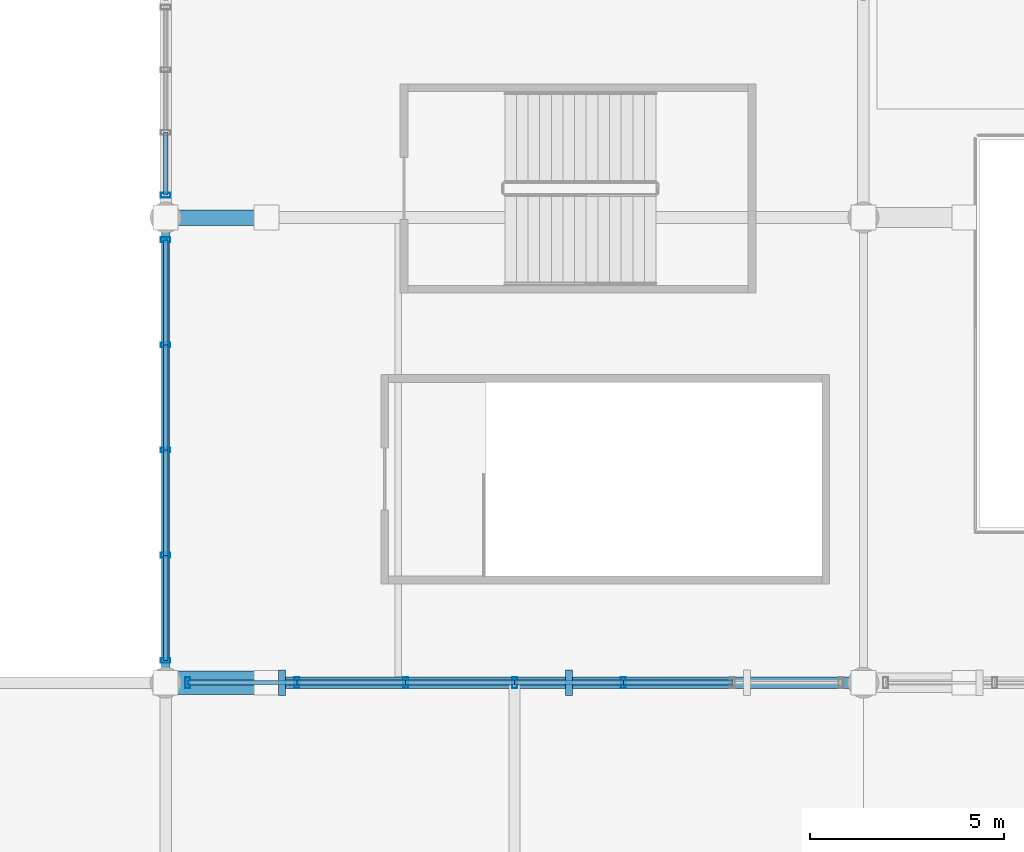
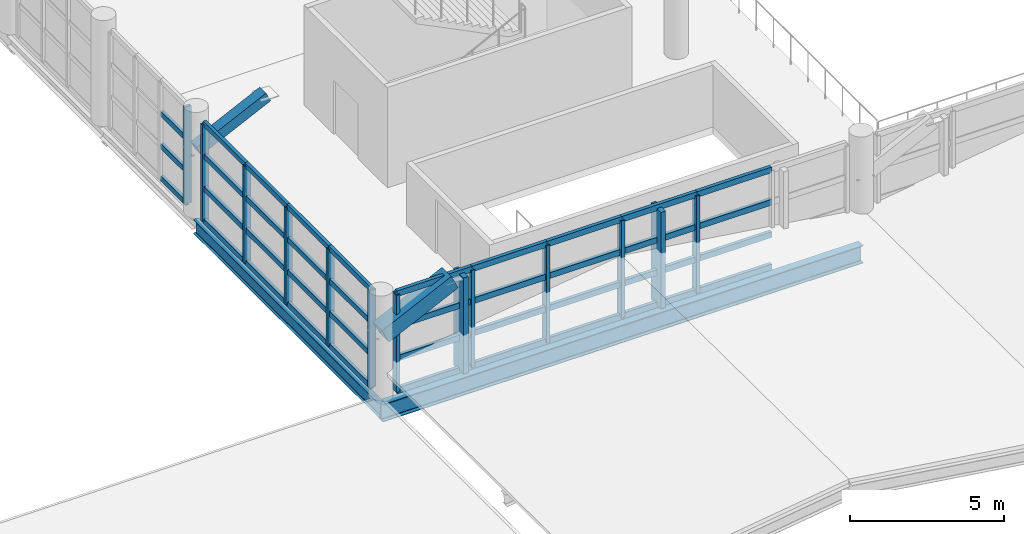
# One storey, part 8 of 136: 54 members, 2 beams, 3 elements without a shape of their own.
"""IFC4 building model written with IfcOpenShell, lengths in metres."""

import ifcopenshell
import ifcopenshell.guid

model = None  # the IFC model being written
_history = None  # IfcOwnerHistory: only IFC2X3 demands one
_inside = {}  # id of a spatial element -> (the spatial element, [elements in it])
_under = {}  # id of a project, library or spatial element -> (it, [spatial elements below it])
_declared = {}  # id of a project -> (the project, [libraries it declares])
_typed = {}  # id of a type object -> (the type object, [elements of that type])
_made_of = {}  # id of a material, layer set ... -> (it, [elements and type objects made of it])


def new_model(schema):
    """Start an empty IFC model of exactly this schema.

    Asked for "IFC4X3", IfcOpenShell would pick the latest addendum, in which some entities
    have other attributes; the version numbers below select the first issue.
    IFC2X3 requires an IfcOwnerHistory on every rooted entity: one is made here for all.
    """
    global model, _history
    if schema == "IFC4X3":
        model = ifcopenshell.file(schema_version=(4, 3, 0, 0))
    else:
        model = ifcopenshell.file(schema=schema)
    _inside.clear()
    _under.clear()
    _declared.clear()
    _typed.clear()
    _made_of.clear()
    _history = None
    if model.schema == "IFC2X3":
        org = make("IfcOrganization", Name="unknown")
        user = make(
            "IfcPersonAndOrganization",
            ThePerson=make("IfcPerson", FamilyName="unknown"),
            TheOrganization=org,
        )
        app = make(
            "IfcApplication",
            ApplicationDeveloper=org,
            Version="unknown",
            ApplicationFullName="unknown",
            ApplicationIdentifier="unknown",
        )
        _history = make(
            "IfcOwnerHistory",
            OwningUser=user,
            OwningApplication=app,
            ChangeAction="ADDED",
            CreationDate=0,
        )
    return model


def make(cls, **values):
    """One entity of the class cls with the attributes given. An attribute that is None is left unset."""
    return model.create_entity(
        cls, **{name: value for name, value in values.items() if value is not None}
    )


def rooted(cls, **values):
    """An entity with a GlobalId (a new one), such as an element, a storey or a relation."""
    return make(cls, GlobalId=ifcopenshell.guid.new(), OwnerHistory=_history, **values)


def si_unit(unit_type, name, prefix=None):
    """IfcSIUnit, for example si_unit("LENGTHUNIT", "METRE", prefix="MILLI")."""
    return make("IfcSIUnit", UnitType=unit_type, Prefix=prefix, Name=name)


def assignment(units):
    """IfcUnitAssignment: the units of a project."""
    return None if units is None else make("IfcUnitAssignment", Units=units)


def point(xyz):
    """IfcCartesianPoint."""
    return None if xyz is None else make("IfcCartesianPoint", Coordinates=xyz)


def direction(xyz):
    """IfcDirection."""
    return None if xyz is None else make("IfcDirection", DirectionRatios=xyz)


def frame(location, z_axis=None, x_axis=None):
    """IfcAxis2Placement3D, a coordinate frame: its origin and axes. An axis left out is left unset."""
    return make(
        "IfcAxis2Placement3D",
        Location=point(location),
        Axis=direction(z_axis),
        RefDirection=direction(x_axis),
    )


def frame_2d(location, x_axis=None):
    """IfcAxis2Placement2D, a coordinate frame in the plane: its origin and x axis."""
    return make(
        "IfcAxis2Placement2D", Location=point(location), RefDirection=direction(x_axis)
    )


def origin():
    """The frame at (0, 0, 0) with its axes left unset."""
    return frame((0.0, 0.0, 0.0))


def origin_2d():
    """The frame at (0, 0) in the plane with its x axis left unset."""
    return frame_2d((0.0, 0.0))


def place(relative_to, where):
    """IfcLocalPlacement: puts the frame where relative to a parent placement (None: the world)."""
    return make(
        "IfcLocalPlacement", PlacementRelTo=relative_to, RelativePlacement=where
    )


def context(
    kind, dimensions, precision=None, world=None, true_north=None, identifier=None
):
    """IfcGeometricRepresentationContext, for example the 3D "Model" context."""
    return make(
        "IfcGeometricRepresentationContext",
        ContextIdentifier=identifier,
        ContextType=kind,
        CoordinateSpaceDimension=dimensions,
        Precision=precision,
        WorldCoordinateSystem=world,
        TrueNorth=true_north,
    )


def subcontext(parent, identifier, kind, view, scale=None):
    """IfcGeometricRepresentationSubContext, for example "Body" below "Model"."""
    return make(
        "IfcGeometricRepresentationSubContext",
        ContextIdentifier=identifier,
        ContextType=kind,
        ParentContext=parent,
        TargetScale=scale,
        TargetView=view,
    )


def project(units=None, contexts=None):
    """IfcProject with its units and contexts."""
    return rooted(
        "IfcProject",
        Name="project",
        RepresentationContexts=contexts,
        UnitsInContext=assignment(units),
    )


def spatial(cls, under=None, at=None, **own):
    """A site, building, storey or space (cls), placed at a placement, below another one or the project."""
    s = rooted(cls, ObjectPlacement=at, **own)
    if under is not None:
        _under.setdefault(under.id(), (under, []))[1].append(s)
    return s


def profile(cls, at=None, kind="AREA", **sizes):
    """A parametric profile (cls). Its sizes go by their IFC names, for example OverallWidth=200.0."""
    return make(cls, ProfileType=kind, Position=at, **sizes)


def rectangle(**sizes):
    """IfcRectangleProfileDef."""
    return profile("IfcRectangleProfileDef", **sizes)


def hollow_rectangle(**sizes):
    """IfcRectangleHollowProfileDef."""
    return profile("IfcRectangleHollowProfileDef", **sizes)


def i_section(**sizes):
    """IfcIShapeProfileDef."""
    return profile("IfcIShapeProfileDef", **sizes)


def extrude(swept, where, along, depth):
    """IfcExtrudedAreaSolid: the profile swept, set in the frame where, extruded along a direction by depth."""
    return make(
        "IfcExtrudedAreaSolid",
        SweptArea=swept,
        Position=where,
        ExtrudedDirection=direction(along),
        Depth=depth,
    )


def shape(context_of_items, identifier, shape_type, items):
    """IfcShapeRepresentation: the items that make up one representation, for example the "Body"."""
    return make(
        "IfcShapeRepresentation",
        ContextOfItems=context_of_items,
        RepresentationIdentifier=identifier,
        RepresentationType=shape_type,
        Items=items,
    )


def material(Name=None, Category=None):
    """IfcMaterial."""
    return make("IfcMaterial", Name=Name, Category=Category)


def material_profile(
    of_material, cross_section, Name=None, Category=None, Priority=None
):
    """IfcMaterialProfile: a cross section and its material."""
    return make(
        "IfcMaterialProfile",
        Name=Name,
        Material=of_material,
        Profile=cross_section,
        Priority=Priority,
        Category=Category,
    )


def profile_set(profiles, Name=None, composite=None):
    """IfcMaterialProfileSet."""
    return make(
        "IfcMaterialProfileSet",
        Name=Name,
        MaterialProfiles=profiles,
        CompositeProfile=composite,
    )


def made_of(thing, what):
    """Note that an element or type object is made of a material, layer set ...; save() writes the relation."""
    if what is not None:
        _made_of.setdefault(what.id(), (what, []))[1].append(thing)
    return thing


def type_object(cls, material=None, **own):
    """A type object (cls), such as IfcWallType, which elements share."""
    return made_of(rooted(cls, **own), material)


def element(
    cls,
    number,
    at=None,
    inside=None,
    cuts=None,
    type_object=None,
    material=None,
    context=None,
    identifier="Body",
    shape_type=None,
    held_by="IfcProductDefinitionShape",
    body=None,
    shapes=None,
    **own,
):
    """One element of the class cls, such as IfcWall. Its Tag is "e" and its number.

    at: its placement. inside: the storey or other place that contains it. cuts: it is an
    opening in that element (IfcRelVoidsElement). A single representation is given by context,
    identifier, shape_type and body (its items); several are given by shapes. held_by: the class
    of the entity that holds the representations. save() writes the other relations.
    """
    e = rooted(cls, Tag="e%d" % number, ObjectPlacement=at, **own)
    if body is not None:
        shapes = [shape(context, identifier, shape_type, body)]
    if shapes is not None:
        e.Representation = make(held_by, Representations=shapes)
    if inside is not None:
        _inside.setdefault(inside.id(), (inside, []))[1].append(e)
    if cuts is not None:
        rooted(
            "IfcRelVoidsElement", RelatingBuildingElement=cuts, RelatedOpeningElement=e
        )
    if type_object is not None:
        _typed.setdefault(type_object.id(), (type_object, []))[1].append(e)
    return made_of(e, material)


def aggregate(whole, parts):
    """IfcRelAggregates: a whole, such as a stair, and the parts it consists of."""
    return rooted("IfcRelAggregates", RelatingObject=whole, RelatedObjects=parts)


def save(model, path):
    """Write the relations noted so far, then the file.

    IfcRelAggregates (storeys below a building ...), IfcRelContainedInSpatialStructure (elements
    in a storey), IfcRelDefinesByType, IfcRelAssociatesMaterial and IfcRelDeclares: one each for
    every whole, place, type object, material and project.
    """
    for whole, parts in _under.values():
        aggregate(whole, parts)
    for where, things in _inside.values():
        rooted(
            "IfcRelContainedInSpatialStructure",
            RelatedElements=things,
            RelatingStructure=where,
        )
    for kind, things in _typed.values():
        rooted("IfcRelDefinesByType", RelatedObjects=things, RelatingType=kind)
    for what, things in _made_of.values():
        rooted("IfcRelAssociatesMaterial", RelatedObjects=things, RelatingMaterial=what)
    for by, libraries in _declared.values():
        rooted("IfcRelDeclares", RelatingContext=by, RelatedDefinitions=libraries)
    model.write(path)


model = new_model("IFC4")

# Units and contexts
model_context = context("Model", 3, precision=1e-05, world=origin(), true_north=direction((0.0, 1.0)))
body_context = subcontext(model_context, "Body", "Model", "MODEL_VIEW")
ifc_project = project(units=[si_unit("LENGTHUNIT", "METRE"), si_unit("AREAUNIT", "SQUARE_METRE"), si_unit("VOLUMEUNIT", "CUBIC_METRE"), si_unit("PLANEANGLEUNIT", "RADIAN"), si_unit("MASSUNIT", "GRAM", prefix="KILO")], contexts=[model_context])

# Site, building, storey
site_placement = place(None, origin())
site = spatial("IfcSite", under=ifc_project, at=site_placement, CompositionType="ELEMENT")
building_placement = place(site_placement, origin())
building = spatial("IfcBuilding", under=site, at=building_placement, Name="Chuanluo Vaults Station", CompositionType="ELEMENT")
storey_placement = place(building_placement, frame((0.0, 0.0, 6.60009765625)))
storey = spatial("IfcBuildingStorey", under=building, at=storey_placement, Name="L01", CompositionType="ELEMENT", Elevation=6.60009765625)

# Beams
ifc_material_1 = material(Name="Steel Q355C", Category="steel")
ifc_material_profile_1 = material_profile(ifc_material_1, i_section(OverallWidth=0.199951171875, OverallDepth=0.550048828125, WebThickness=0.010009765625, FlangeThickness=0.01611328125, FilletRadius=0.01806640625, at=origin_2d()))
ifc_profile_set_1 = profile_set([ifc_material_profile_1], Name="Steel Q355C")
beam_type_1 = type_object("IfcBeamType", Name="BM-GRD-550", PredefinedType="USERDEFINED", material=ifc_profile_set_1)
beam_1_placement = place(storey_placement, frame((18.0, 18.0, -0.55517578125), z_axis=(0.0, 1.0, 0.0), x_axis=(-1.0, 0.0, 0.0)))
element("IfcBeam", 1, at=beam_1_placement, inside=storey, type_object=beam_type_1, Name="Floor girder BM:GY:L01:0412", ObjectType="GIRDER", PredefinedType="USERDEFINED", context=body_context, shape_type="SweptSolid", body=[
    extrude(i_section(OverallWidth=0.199951171875, OverallDepth=0.550048828125, WebThickness=0.010009765625, FlangeThickness=0.01611328125, FilletRadius=0.01806640625, at=origin_2d()), origin(), (0.0, 0.0, 1.0), 12.0),
])
ifc_material_2 = material(Name="Steel Q355C", Category="steel")
ifc_material_profile_2 = material_profile(ifc_material_2, i_section(OverallWidth=0.300048828125, OverallDepth=0.699951171875, WebThickness=0.012939453125, FlangeThickness=0.02392578125, FilletRadius=0.02197265625, at=origin_2d()))
ifc_profile_set_2 = profile_set([ifc_material_profile_2], Name="Steel Q355C")
beam_type_2 = type_object("IfcBeamType", Name="BM-GRD-700", PredefinedType="USERDEFINED", material=ifc_profile_set_2)
beam_2_placement = place(storey_placement, frame((18.0, 18.0, -0.630126953125), z_axis=(1.0, 0.0, 0.0), x_axis=(0.0, 1.0, 0.0)))
element("IfcBeam", 2, at=beam_2_placement, inside=storey, type_object=beam_type_2, Name="Floor girder BM:GX:L01:0292", ObjectType="GIRDER", PredefinedType="USERDEFINED", context=body_context, shape_type="SweptSolid", body=[
    extrude(i_section(OverallWidth=0.300048828125, OverallDepth=0.699951171875, WebThickness=0.012939453125, FlangeThickness=0.02392578125, FilletRadius=0.02197265625, at=origin_2d()), origin(), (0.0, 0.0, 1.0), 18.0),
])

# Curtain wall, members
ifc_material_3 = material(Name="Anodised aluminium 6063-T6", Category="aluminium")
curtain_wall_type_1 = type_object("IfcCurtainWallType", Name="CW-SYS-27", PredefinedType="NOTDEFINED", material=ifc_material_3)
curtain_wall_1_placement = place(storey_placement, origin())
curtain_wall_1 = element("IfcCurtainWall", 3, at=curtain_wall_1_placement, inside=storey, type_object=curtain_wall_type_1, Name="Concourse west curtain wall 18", PredefinedType="NOTDEFINED")
ifc_material_4 = material(Name="Anodised aluminium 6063-T6", Category="aluminium")
ifc_material_profile_3 = material_profile(ifc_material_4, hollow_rectangle(XDim=0.1201171875, YDim=0.25, WallThickness=0.006103515625, at=origin_2d()))
ifc_profile_set_3 = profile_set([ifc_material_profile_3], Name="Anodised aluminium 6063-T6")
member_type_1 = type_object("IfcMemberType", Name="CWM-160", PredefinedType="MULLION", material=ifc_profile_set_3)
member_1_placement = place(storey_placement, frame((18.0, 18.574951171875, 0.0), z_axis=(0.0, 0.0, 1.0), x_axis=(0.0, 1.0, 0.0)))
member_1 = element("IfcMember", 4, at=member_1_placement, type_object=member_type_1, Name="Concourse west curtain wall 18 mullion 1", PredefinedType="MULLION", context=body_context, shape_type="SweptSolid", body=[
    extrude(hollow_rectangle(XDim=0.1201171875, YDim=0.25, WallThickness=0.006103515625, at=origin_2d()), origin(), (0.0, 0.0, 1.0), 3.849853515625),
])
member_2_placement = place(storey_placement, frame((18.0, 21.28759765625, 0.0), z_axis=(0.0, 0.0, 1.0), x_axis=(0.0, 1.0, 0.0)))
member_2 = element("IfcMember", 5, at=member_2_placement, type_object=member_type_1, Name="Concourse west curtain wall 18 mullion 2", PredefinedType="MULLION", context=body_context, shape_type="SweptSolid", body=[
    extrude(hollow_rectangle(XDim=0.1201171875, YDim=0.25, WallThickness=0.006103515625, at=origin_2d()), origin(), (0.0, 0.0, 1.0), 3.849853515625),
])
member_3_placement = place(storey_placement, frame((18.0, 24.0, 0.0), z_axis=(0.0, 0.0, 1.0), x_axis=(0.0, 1.0, 0.0)))
member_3 = element("IfcMember", 6, at=member_3_placement, type_object=member_type_1, Name="Concourse west curtain wall 18 mullion 3", PredefinedType="MULLION", context=body_context, shape_type="SweptSolid", body=[
    extrude(hollow_rectangle(XDim=0.1201171875, YDim=0.25, WallThickness=0.006103515625, at=origin_2d()), origin(), (0.0, 0.0, 1.0), 3.849853515625),
])
member_4_placement = place(storey_placement, frame((18.0, 26.71240234375, 0.0), z_axis=(0.0, 0.0, 1.0), x_axis=(0.0, 1.0, 0.0)))
member_4 = element("IfcMember", 7, at=member_4_placement, type_object=member_type_1, Name="Concourse west curtain wall 18 mullion 4", PredefinedType="MULLION", context=body_context, shape_type="SweptSolid", body=[
    extrude(hollow_rectangle(XDim=0.1201171875, YDim=0.25, WallThickness=0.006103515625, at=origin_2d()), origin(), (0.0, 0.0, 1.0), 3.849853515625),
])
member_5_placement = place(storey_placement, frame((18.0, 29.425048828125, 0.0), z_axis=(0.0, 0.0, 1.0), x_axis=(0.0, 1.0, 0.0)))
member_5 = element("IfcMember", 8, at=member_5_placement, type_object=member_type_1, Name="Concourse west curtain wall 18 mullion 5", PredefinedType="MULLION", context=body_context, shape_type="SweptSolid", body=[
    extrude(hollow_rectangle(XDim=0.1201171875, YDim=0.25, WallThickness=0.006103515625, at=origin_2d()), origin(), (0.0, 0.0, 1.0), 3.849853515625),
])

# Curtain wall, member
ifc_material_5 = material(Name="Anodised aluminium 6063-T6", Category="aluminium")
curtain_wall_type_2 = type_object("IfcCurtainWallType", Name="CW-SYS-03", PredefinedType="NOTDEFINED", material=ifc_material_5)
curtain_wall_2_placement = place(storey_placement, origin())
curtain_wall_2 = element("IfcCurtainWall", 9, at=curtain_wall_2_placement, inside=storey, type_object=curtain_wall_type_2, Name="Concourse west curtain wall 30 part 1", PredefinedType="NOTDEFINED")
member_6_placement = place(storey_placement, frame((18.0, 30.574951171875, 0.0), z_axis=(0.0, 0.0, 1.0), x_axis=(0.0, 1.0, 0.0)))
member_6 = element("IfcMember", 10, at=member_6_placement, type_object=member_type_1, Name="Concourse west curtain wall 30 part 1 mullion 1", PredefinedType="MULLION", context=body_context, shape_type="SweptSolid", body=[
    extrude(hollow_rectangle(XDim=0.1201171875, YDim=0.25, WallThickness=0.006103515625, at=origin_2d()), origin(), (0.0, 0.0, 1.0), 3.849853515625),
])

# Curtain wall, members
ifc_material_6 = material(Name="Anodised aluminium 6063-T6", Category="aluminium")
curtain_wall_type_3 = type_object("IfcCurtainWallType", Name="CW-SYS-06", PredefinedType="NOTDEFINED", material=ifc_material_6)
curtain_wall_3_placement = place(storey_placement, origin())
curtain_wall_3 = element("IfcCurtainWall", 11, at=curtain_wall_3_placement, inside=storey, type_object=curtain_wall_type_3, Name="Concourse V2 south facade CW", PredefinedType="NOTDEFINED")
ifc_material_7 = material(Name="Anodised aluminium 6063-T6", Category="aluminium")
ifc_material_profile_4 = material_profile(ifc_material_7, hollow_rectangle(XDim=0.1298828125, YDim=0.280029296875, WallThickness=0.007080078125, at=origin_2d()))
ifc_profile_set_4 = profile_set([ifc_material_profile_4], Name="Anodised aluminium 6063-T6")
member_type_2 = type_object("IfcMemberType", Name="CWM-180", PredefinedType="MULLION", material=ifc_profile_set_4)
member_7_placement = place(storey_placement, frame((29.808349609375, 18.0, 0.0), z_axis=(0.0, 0.0, 1.0), x_axis=(-1.0, 0.0, 0.0)))
member_7 = element("IfcMember", 12, at=member_7_placement, type_object=member_type_2, Name="Concourse V2 south facade CW mullion 3", PredefinedType="MULLION", context=body_context, shape_type="SweptSolid", body=[
    extrude(hollow_rectangle(XDim=0.1298828125, YDim=0.280029296875, WallThickness=0.007080078125, at=origin_2d()), origin(), (0.0, 0.0, 1.0), 3.849853515625),
])
member_8_placement = place(storey_placement, frame((27.0, 18.0, 0.0), z_axis=(0.0, 0.0, 1.0), x_axis=(-1.0, 0.0, 0.0)))
member_8 = element("IfcMember", 13, at=member_8_placement, type_object=member_type_2, Name="Concourse V2 south facade CW mullion 4", PredefinedType="MULLION", context=body_context, shape_type="SweptSolid", body=[
    extrude(hollow_rectangle(XDim=0.1298828125, YDim=0.280029296875, WallThickness=0.007080078125, at=origin_2d()), origin(), (0.0, 0.0, 1.0), 3.849853515625),
])
member_9_placement = place(storey_placement, frame((24.191650390625, 18.0, 0.0), z_axis=(0.0, 0.0, 1.0), x_axis=(-1.0, 0.0, 0.0)))
member_9 = element("IfcMember", 14, at=member_9_placement, type_object=member_type_2, Name="Concourse V2 south facade CW mullion 5", PredefinedType="MULLION", context=body_context, shape_type="SweptSolid", body=[
    extrude(hollow_rectangle(XDim=0.1298828125, YDim=0.280029296875, WallThickness=0.007080078125, at=origin_2d()), origin(), (0.0, 0.0, 1.0), 3.849853515625),
])
member_10_placement = place(storey_placement, frame((21.38330078125, 18.0, 0.0), z_axis=(0.0, 0.0, 1.0), x_axis=(-1.0, 0.0, 0.0)))
member_10 = element("IfcMember", 15, at=member_10_placement, type_object=member_type_2, Name="Concourse V2 south facade CW mullion 6", PredefinedType="MULLION", context=body_context, shape_type="SweptSolid", body=[
    extrude(hollow_rectangle(XDim=0.1298828125, YDim=0.280029296875, WallThickness=0.007080078125, at=origin_2d()), origin(), (0.0, 0.0, 1.0), 3.849853515625),
])
member_11_placement = place(storey_placement, frame((18.574951171875, 18.0, 0.0), z_axis=(0.0, 0.0, 1.0), x_axis=(-1.0, 0.0, 0.0)))
member_11 = element("IfcMember", 16, at=member_11_placement, type_object=member_type_2, Name="Concourse V2 south facade CW mullion 7", PredefinedType="MULLION", context=body_context, shape_type="SweptSolid", body=[
    extrude(hollow_rectangle(XDim=0.1298828125, YDim=0.280029296875, WallThickness=0.007080078125, at=origin_2d()), origin(), (0.0, 0.0, 1.0), 3.849853515625),
])

# Member
ifc_material_8 = material(Name="Anodised aluminium 6063-T6", Category="aluminium")
ifc_material_profile_5 = material_profile(ifc_material_8, hollow_rectangle(XDim=0.1201171875, YDim=0.205078125, WallThickness=0.006103515625, at=origin_2d()))
ifc_profile_set_5 = profile_set([ifc_material_profile_5], Name="Anodised aluminium 6063-T6")
member_type_3 = type_object("IfcMemberType", Name="CWT-130", PredefinedType="USERDEFINED", material=ifc_profile_set_5)
member_12_placement = place(storey_placement, frame((18.0, 18.574951171875, 0.0), z_axis=(0.0, 1.0, 0.0), x_axis=(-1.0, 0.0, 0.0)))
member_12 = element("IfcMember", 17, at=member_12_placement, type_object=member_type_3, Name="Concourse west curtain wall 18 transom 1.1", ObjectType="TRANSOM", PredefinedType="USERDEFINED", context=body_context, shape_type="SweptSolid", body=[
    extrude(hollow_rectangle(XDim=0.1201171875, YDim=0.205078125, WallThickness=0.006103515625, at=origin_2d()), origin(), (0.0, 0.0, 1.0), 2.712646484375),
])

member_13_placement = place(storey_placement, frame((18.0, 18.574951171875, 1.283203125), z_axis=(0.0, 1.0, 0.0), x_axis=(-1.0, 0.0, 0.0)))
member_13 = element("IfcMember", 18, at=member_13_placement, type_object=member_type_3, Name="Concourse west curtain wall 18 transom 1.2", ObjectType="TRANSOM", PredefinedType="USERDEFINED", context=body_context, shape_type="SweptSolid", body=[
    extrude(hollow_rectangle(XDim=0.1201171875, YDim=0.205078125, WallThickness=0.006103515625, at=origin_2d()), origin(), (0.0, 0.0, 1.0), 2.712646484375),
])

member_14_placement = place(storey_placement, frame((18.0, 18.574951171875, 2.566650390625), z_axis=(0.0, 1.0, 0.0), x_axis=(-1.0, 0.0, 0.0)))
member_14 = element("IfcMember", 19, at=member_14_placement, type_object=member_type_3, Name="Concourse west curtain wall 18 transom 1.3", ObjectType="TRANSOM", PredefinedType="USERDEFINED", context=body_context, shape_type="SweptSolid", body=[
    extrude(hollow_rectangle(XDim=0.1201171875, YDim=0.205078125, WallThickness=0.006103515625, at=origin_2d()), origin(), (0.0, 0.0, 1.0), 2.712646484375),
])

member_15_placement = place(storey_placement, frame((18.0, 18.574951171875, 3.849853515625), z_axis=(0.0, 1.0, 0.0), x_axis=(-1.0, 0.0, 0.0)))
member_15 = element("IfcMember", 20, at=member_15_placement, type_object=member_type_3, Name="Concourse west curtain wall 18 transom 1.4", ObjectType="TRANSOM", PredefinedType="USERDEFINED", context=body_context, shape_type="SweptSolid", body=[
    extrude(hollow_rectangle(XDim=0.1201171875, YDim=0.205078125, WallThickness=0.006103515625, at=origin_2d()), origin(), (0.0, 0.0, 1.0), 2.712646484375),
])

member_16_placement = place(storey_placement, frame((18.0, 21.28759765625, 0.0), z_axis=(0.0, 1.0, 0.0), x_axis=(-1.0, 0.0, 0.0)))
member_16 = element("IfcMember", 21, at=member_16_placement, type_object=member_type_3, Name="Concourse west curtain wall 18 transom 2.1", ObjectType="TRANSOM", PredefinedType="USERDEFINED", context=body_context, shape_type="SweptSolid", body=[
    extrude(hollow_rectangle(XDim=0.1201171875, YDim=0.205078125, WallThickness=0.006103515625, at=origin_2d()), origin(), (0.0, 0.0, 1.0), 2.71240234375),
])

member_17_placement = place(storey_placement, frame((18.0, 21.28759765625, 1.283203125), z_axis=(0.0, 1.0, 0.0), x_axis=(-1.0, 0.0, 0.0)))
member_17 = element("IfcMember", 22, at=member_17_placement, type_object=member_type_3, Name="Concourse west curtain wall 18 transom 2.2", ObjectType="TRANSOM", PredefinedType="USERDEFINED", context=body_context, shape_type="SweptSolid", body=[
    extrude(hollow_rectangle(XDim=0.1201171875, YDim=0.205078125, WallThickness=0.006103515625, at=origin_2d()), origin(), (0.0, 0.0, 1.0), 2.71240234375),
])

member_18_placement = place(storey_placement, frame((18.0, 21.28759765625, 2.566650390625), z_axis=(0.0, 1.0, 0.0), x_axis=(-1.0, 0.0, 0.0)))
member_18 = element("IfcMember", 23, at=member_18_placement, type_object=member_type_3, Name="Concourse west curtain wall 18 transom 2.3", ObjectType="TRANSOM", PredefinedType="USERDEFINED", context=body_context, shape_type="SweptSolid", body=[
    extrude(hollow_rectangle(XDim=0.1201171875, YDim=0.205078125, WallThickness=0.006103515625, at=origin_2d()), origin(), (0.0, 0.0, 1.0), 2.71240234375),
])

member_19_placement = place(storey_placement, frame((18.0, 21.28759765625, 3.849853515625), z_axis=(0.0, 1.0, 0.0), x_axis=(-1.0, 0.0, 0.0)))
member_19 = element("IfcMember", 24, at=member_19_placement, type_object=member_type_3, Name="Concourse west curtain wall 18 transom 2.4", ObjectType="TRANSOM", PredefinedType="USERDEFINED", context=body_context, shape_type="SweptSolid", body=[
    extrude(hollow_rectangle(XDim=0.1201171875, YDim=0.205078125, WallThickness=0.006103515625, at=origin_2d()), origin(), (0.0, 0.0, 1.0), 2.71240234375),
])

member_20_placement = place(storey_placement, frame((18.0, 24.0, 0.0), z_axis=(0.0, 1.0, 0.0), x_axis=(-1.0, 0.0, 0.0)))
member_20 = element("IfcMember", 25, at=member_20_placement, type_object=member_type_3, Name="Concourse west curtain wall 18 transom 3.1", ObjectType="TRANSOM", PredefinedType="USERDEFINED", context=body_context, shape_type="SweptSolid", body=[
    extrude(hollow_rectangle(XDim=0.1201171875, YDim=0.205078125, WallThickness=0.006103515625, at=origin_2d()), origin(), (0.0, 0.0, 1.0), 2.71240234375),
])

member_21_placement = place(storey_placement, frame((18.0, 24.0, 1.283203125), z_axis=(0.0, 1.0, 0.0), x_axis=(-1.0, 0.0, 0.0)))
member_21 = element("IfcMember", 26, at=member_21_placement, type_object=member_type_3, Name="Concourse west curtain wall 18 transom 3.2", ObjectType="TRANSOM", PredefinedType="USERDEFINED", context=body_context, shape_type="SweptSolid", body=[
    extrude(hollow_rectangle(XDim=0.1201171875, YDim=0.205078125, WallThickness=0.006103515625, at=origin_2d()), origin(), (0.0, 0.0, 1.0), 2.71240234375),
])

member_22_placement = place(storey_placement, frame((18.0, 24.0, 2.566650390625), z_axis=(0.0, 1.0, 0.0), x_axis=(-1.0, 0.0, 0.0)))
member_22 = element("IfcMember", 27, at=member_22_placement, type_object=member_type_3, Name="Concourse west curtain wall 18 transom 3.3", ObjectType="TRANSOM", PredefinedType="USERDEFINED", context=body_context, shape_type="SweptSolid", body=[
    extrude(hollow_rectangle(XDim=0.1201171875, YDim=0.205078125, WallThickness=0.006103515625, at=origin_2d()), origin(), (0.0, 0.0, 1.0), 2.71240234375),
])

member_23_placement = place(storey_placement, frame((18.0, 24.0, 3.849853515625), z_axis=(0.0, 1.0, 0.0), x_axis=(-1.0, 0.0, 0.0)))
member_23 = element("IfcMember", 28, at=member_23_placement, type_object=member_type_3, Name="Concourse west curtain wall 18 transom 3.4", ObjectType="TRANSOM", PredefinedType="USERDEFINED", context=body_context, shape_type="SweptSolid", body=[
    extrude(hollow_rectangle(XDim=0.1201171875, YDim=0.205078125, WallThickness=0.006103515625, at=origin_2d()), origin(), (0.0, 0.0, 1.0), 2.71240234375),
])

member_24_placement = place(storey_placement, frame((18.0, 26.71240234375, 0.0), z_axis=(0.0, 1.0, 0.0), x_axis=(-1.0, 0.0, 0.0)))
member_24 = element("IfcMember", 29, at=member_24_placement, type_object=member_type_3, Name="Concourse west curtain wall 18 transom 4.1", ObjectType="TRANSOM", PredefinedType="USERDEFINED", context=body_context, shape_type="SweptSolid", body=[
    extrude(hollow_rectangle(XDim=0.1201171875, YDim=0.205078125, WallThickness=0.006103515625, at=origin_2d()), origin(), (0.0, 0.0, 1.0), 2.712646484375),
])

member_25_placement = place(storey_placement, frame((18.0, 26.71240234375, 1.283203125), z_axis=(0.0, 1.0, 0.0), x_axis=(-1.0, 0.0, 0.0)))
member_25 = element("IfcMember", 30, at=member_25_placement, type_object=member_type_3, Name="Concourse west curtain wall 18 transom 4.2", ObjectType="TRANSOM", PredefinedType="USERDEFINED", context=body_context, shape_type="SweptSolid", body=[
    extrude(hollow_rectangle(XDim=0.1201171875, YDim=0.205078125, WallThickness=0.006103515625, at=origin_2d()), origin(), (0.0, 0.0, 1.0), 2.712646484375),
])

member_26_placement = place(storey_placement, frame((18.0, 26.71240234375, 2.566650390625), z_axis=(0.0, 1.0, 0.0), x_axis=(-1.0, 0.0, 0.0)))
member_26 = element("IfcMember", 31, at=member_26_placement, type_object=member_type_3, Name="Concourse west curtain wall 18 transom 4.3", ObjectType="TRANSOM", PredefinedType="USERDEFINED", context=body_context, shape_type="SweptSolid", body=[
    extrude(hollow_rectangle(XDim=0.1201171875, YDim=0.205078125, WallThickness=0.006103515625, at=origin_2d()), origin(), (0.0, 0.0, 1.0), 2.712646484375),
])

member_27_placement = place(storey_placement, frame((18.0, 26.71240234375, 3.849853515625), z_axis=(0.0, 1.0, 0.0), x_axis=(-1.0, 0.0, 0.0)))
member_27 = element("IfcMember", 32, at=member_27_placement, type_object=member_type_3, Name="Concourse west curtain wall 18 transom 4.4", ObjectType="TRANSOM", PredefinedType="USERDEFINED", context=body_context, shape_type="SweptSolid", body=[
    extrude(hollow_rectangle(XDim=0.1201171875, YDim=0.205078125, WallThickness=0.006103515625, at=origin_2d()), origin(), (0.0, 0.0, 1.0), 2.712646484375),
])

aggregate(curtain_wall_1, [member_1, member_2, member_3, member_4, member_5, member_12, member_13, member_14, member_15, member_16, member_17, member_18, member_19, member_20, member_21, member_22, member_23, member_24, member_25, member_26, member_27])

member_28_placement = place(storey_placement, frame((18.0, 30.574951171875, 0.0), z_axis=(0.0, 1.0, 0.0), x_axis=(-1.0, 0.0, 0.0)))
member_28 = element("IfcMember", 33, at=member_28_placement, type_object=member_type_3, Name="Concourse west curtain wall 30 part 1 transom 1.1", ObjectType="TRANSOM", PredefinedType="USERDEFINED", context=body_context, shape_type="SweptSolid", body=[
    extrude(hollow_rectangle(XDim=0.1201171875, YDim=0.205078125, WallThickness=0.006103515625, at=origin_2d()), origin(), (0.0, 0.0, 1.0), 1.61669921875),
])

member_29_placement = place(storey_placement, frame((18.0, 30.574951171875, 1.283203125), z_axis=(0.0, 1.0, 0.0), x_axis=(-1.0, 0.0, 0.0)))
member_29 = element("IfcMember", 34, at=member_29_placement, type_object=member_type_3, Name="Concourse west curtain wall 30 part 1 transom 1.2", ObjectType="TRANSOM", PredefinedType="USERDEFINED", context=body_context, shape_type="SweptSolid", body=[
    extrude(hollow_rectangle(XDim=0.1201171875, YDim=0.205078125, WallThickness=0.006103515625, at=origin_2d()), origin(), (0.0, 0.0, 1.0), 1.61669921875),
])

member_30_placement = place(storey_placement, frame((18.0, 30.574951171875, 2.566650390625), z_axis=(0.0, 1.0, 0.0), x_axis=(-1.0, 0.0, 0.0)))
member_30 = element("IfcMember", 35, at=member_30_placement, type_object=member_type_3, Name="Concourse west curtain wall 30 part 1 transom 1.3", ObjectType="TRANSOM", PredefinedType="USERDEFINED", context=body_context, shape_type="SweptSolid", body=[
    extrude(hollow_rectangle(XDim=0.1201171875, YDim=0.205078125, WallThickness=0.006103515625, at=origin_2d()), origin(), (0.0, 0.0, 1.0), 1.61669921875),
])

aggregate(curtain_wall_2, [member_6, member_28, member_29, member_30])

ifc_material_9 = material(Name="Anodised aluminium 6063-T6", Category="aluminium")
ifc_material_profile_6 = material_profile(ifc_material_9, hollow_rectangle(XDim=0.1298828125, YDim=0.22998046875, WallThickness=0.006103515625, at=origin_2d()))
ifc_profile_set_6 = profile_set([ifc_material_profile_6], Name="Anodised aluminium 6063-T6")
member_type_4 = type_object("IfcMemberType", Name="CWT-150", PredefinedType="USERDEFINED", material=ifc_profile_set_6)
member_31_placement = place(storey_placement, frame((32.61669921875, 18.0, 0.0), z_axis=(-1.0, 0.0, 0.0), x_axis=(0.0, -1.0, 0.0)))
member_31 = element("IfcMember", 36, at=member_31_placement, type_object=member_type_4, Name="Concourse V2 south facade CW transom 2.1", ObjectType="TRANSOM", PredefinedType="USERDEFINED", context=body_context, shape_type="SweptSolid", body=[
    extrude(hollow_rectangle(XDim=0.1298828125, YDim=0.22998046875, WallThickness=0.006103515625, at=origin_2d()), origin(), (0.0, 0.0, 1.0), 2.808349609375),
])

member_32_placement = place(storey_placement, frame((32.61669921875, 18.0, 1.283203125), z_axis=(-1.0, 0.0, 0.0), x_axis=(0.0, -1.0, 0.0)))
member_32 = element("IfcMember", 37, at=member_32_placement, type_object=member_type_4, Name="Concourse V2 south facade CW transom 2.2", ObjectType="TRANSOM", PredefinedType="USERDEFINED", context=body_context, shape_type="SweptSolid", body=[
    extrude(hollow_rectangle(XDim=0.1298828125, YDim=0.22998046875, WallThickness=0.006103515625, at=origin_2d()), origin(), (0.0, 0.0, 1.0), 2.808349609375),
])

member_33_placement = place(storey_placement, frame((32.61669921875, 18.0, 2.566650390625), z_axis=(-1.0, 0.0, 0.0), x_axis=(0.0, -1.0, 0.0)))
member_33 = element("IfcMember", 38, at=member_33_placement, type_object=member_type_4, Name="Concourse V2 south facade CW transom 2.3", ObjectType="TRANSOM", PredefinedType="USERDEFINED", context=body_context, shape_type="SweptSolid", body=[
    extrude(hollow_rectangle(XDim=0.1298828125, YDim=0.22998046875, WallThickness=0.006103515625, at=origin_2d()), origin(), (0.0, 0.0, 1.0), 2.808349609375),
])

member_34_placement = place(storey_placement, frame((32.61669921875, 18.0, 3.849853515625), z_axis=(-1.0, 0.0, 0.0), x_axis=(0.0, -1.0, 0.0)))
member_34 = element("IfcMember", 39, at=member_34_placement, type_object=member_type_4, Name="Concourse V2 south facade CW transom 2.4", ObjectType="TRANSOM", PredefinedType="USERDEFINED", context=body_context, shape_type="SweptSolid", body=[
    extrude(hollow_rectangle(XDim=0.1298828125, YDim=0.22998046875, WallThickness=0.006103515625, at=origin_2d()), origin(), (0.0, 0.0, 1.0), 2.808349609375),
])

member_35_placement = place(storey_placement, frame((29.808349609375, 18.0, 0.0), z_axis=(-1.0, 0.0, 0.0), x_axis=(0.0, -1.0, 0.0)))
member_35 = element("IfcMember", 40, at=member_35_placement, type_object=member_type_4, Name="Concourse V2 south facade CW transom 3.1", ObjectType="TRANSOM", PredefinedType="USERDEFINED", context=body_context, shape_type="SweptSolid", body=[
    extrude(hollow_rectangle(XDim=0.1298828125, YDim=0.22998046875, WallThickness=0.006103515625, at=origin_2d()), origin(), (0.0, 0.0, 1.0), 2.808349609375),
])

member_36_placement = place(storey_placement, frame((29.808349609375, 18.0, 1.283203125), z_axis=(-1.0, 0.0, 0.0), x_axis=(0.0, -1.0, 0.0)))
member_36 = element("IfcMember", 41, at=member_36_placement, type_object=member_type_4, Name="Concourse V2 south facade CW transom 3.2", ObjectType="TRANSOM", PredefinedType="USERDEFINED", context=body_context, shape_type="SweptSolid", body=[
    extrude(hollow_rectangle(XDim=0.1298828125, YDim=0.22998046875, WallThickness=0.006103515625, at=origin_2d()), origin(), (0.0, 0.0, 1.0), 2.808349609375),
])

member_37_placement = place(storey_placement, frame((29.808349609375, 18.0, 2.566650390625), z_axis=(-1.0, 0.0, 0.0), x_axis=(0.0, -1.0, 0.0)))
member_37 = element("IfcMember", 42, at=member_37_placement, type_object=member_type_4, Name="Concourse V2 south facade CW transom 3.3", ObjectType="TRANSOM", PredefinedType="USERDEFINED", context=body_context, shape_type="SweptSolid", body=[
    extrude(hollow_rectangle(XDim=0.1298828125, YDim=0.22998046875, WallThickness=0.006103515625, at=origin_2d()), origin(), (0.0, 0.0, 1.0), 2.808349609375),
])

member_38_placement = place(storey_placement, frame((29.808349609375, 18.0, 3.849853515625), z_axis=(-1.0, 0.0, 0.0), x_axis=(0.0, -1.0, 0.0)))
member_38 = element("IfcMember", 43, at=member_38_placement, type_object=member_type_4, Name="Concourse V2 south facade CW transom 3.4", ObjectType="TRANSOM", PredefinedType="USERDEFINED", context=body_context, shape_type="SweptSolid", body=[
    extrude(hollow_rectangle(XDim=0.1298828125, YDim=0.22998046875, WallThickness=0.006103515625, at=origin_2d()), origin(), (0.0, 0.0, 1.0), 2.808349609375),
])

member_39_placement = place(storey_placement, frame((27.0, 18.0, 0.0), z_axis=(-1.0, 0.0, 0.0), x_axis=(0.0, -1.0, 0.0)))
member_39 = element("IfcMember", 44, at=member_39_placement, type_object=member_type_4, Name="Concourse V2 south facade CW transom 4.1", ObjectType="TRANSOM", PredefinedType="USERDEFINED", context=body_context, shape_type="SweptSolid", body=[
    extrude(hollow_rectangle(XDim=0.1298828125, YDim=0.22998046875, WallThickness=0.006103515625, at=origin_2d()), origin(), (0.0, 0.0, 1.0), 2.808349609375),
])

member_40_placement = place(storey_placement, frame((27.0, 18.0, 1.283203125), z_axis=(-1.0, 0.0, 0.0), x_axis=(0.0, -1.0, 0.0)))
member_40 = element("IfcMember", 45, at=member_40_placement, type_object=member_type_4, Name="Concourse V2 south facade CW transom 4.2", ObjectType="TRANSOM", PredefinedType="USERDEFINED", context=body_context, shape_type="SweptSolid", body=[
    extrude(hollow_rectangle(XDim=0.1298828125, YDim=0.22998046875, WallThickness=0.006103515625, at=origin_2d()), origin(), (0.0, 0.0, 1.0), 2.808349609375),
])

member_41_placement = place(storey_placement, frame((27.0, 18.0, 2.566650390625), z_axis=(-1.0, 0.0, 0.0), x_axis=(0.0, -1.0, 0.0)))
member_41 = element("IfcMember", 46, at=member_41_placement, type_object=member_type_4, Name="Concourse V2 south facade CW transom 4.3", ObjectType="TRANSOM", PredefinedType="USERDEFINED", context=body_context, shape_type="SweptSolid", body=[
    extrude(hollow_rectangle(XDim=0.1298828125, YDim=0.22998046875, WallThickness=0.006103515625, at=origin_2d()), origin(), (0.0, 0.0, 1.0), 2.808349609375),
])

member_42_placement = place(storey_placement, frame((27.0, 18.0, 3.849853515625), z_axis=(-1.0, 0.0, 0.0), x_axis=(0.0, -1.0, 0.0)))
member_42 = element("IfcMember", 47, at=member_42_placement, type_object=member_type_4, Name="Concourse V2 south facade CW transom 4.4", ObjectType="TRANSOM", PredefinedType="USERDEFINED", context=body_context, shape_type="SweptSolid", body=[
    extrude(hollow_rectangle(XDim=0.1298828125, YDim=0.22998046875, WallThickness=0.006103515625, at=origin_2d()), origin(), (0.0, 0.0, 1.0), 2.808349609375),
])

member_43_placement = place(storey_placement, frame((24.191650390625, 18.0, 0.0), z_axis=(-1.0, 0.0, 0.0), x_axis=(0.0, -1.0, 0.0)))
member_43 = element("IfcMember", 48, at=member_43_placement, type_object=member_type_4, Name="Concourse V2 south facade CW transom 5.1", ObjectType="TRANSOM", PredefinedType="USERDEFINED", context=body_context, shape_type="SweptSolid", body=[
    extrude(hollow_rectangle(XDim=0.1298828125, YDim=0.22998046875, WallThickness=0.006103515625, at=origin_2d()), origin(), (0.0, 0.0, 1.0), 2.808349609375),
])

member_44_placement = place(storey_placement, frame((24.191650390625, 18.0, 1.283203125), z_axis=(-1.0, 0.0, 0.0), x_axis=(0.0, -1.0, 0.0)))
member_44 = element("IfcMember", 49, at=member_44_placement, type_object=member_type_4, Name="Concourse V2 south facade CW transom 5.2", ObjectType="TRANSOM", PredefinedType="USERDEFINED", context=body_context, shape_type="SweptSolid", body=[
    extrude(hollow_rectangle(XDim=0.1298828125, YDim=0.22998046875, WallThickness=0.006103515625, at=origin_2d()), origin(), (0.0, 0.0, 1.0), 2.808349609375),
])

member_45_placement = place(storey_placement, frame((24.191650390625, 18.0, 2.566650390625), z_axis=(-1.0, 0.0, 0.0), x_axis=(0.0, -1.0, 0.0)))
member_45 = element("IfcMember", 50, at=member_45_placement, type_object=member_type_4, Name="Concourse V2 south facade CW transom 5.3", ObjectType="TRANSOM", PredefinedType="USERDEFINED", context=body_context, shape_type="SweptSolid", body=[
    extrude(hollow_rectangle(XDim=0.1298828125, YDim=0.22998046875, WallThickness=0.006103515625, at=origin_2d()), origin(), (0.0, 0.0, 1.0), 2.808349609375),
])

member_46_placement = place(storey_placement, frame((24.191650390625, 18.0, 3.849853515625), z_axis=(-1.0, 0.0, 0.0), x_axis=(0.0, -1.0, 0.0)))
member_46 = element("IfcMember", 51, at=member_46_placement, type_object=member_type_4, Name="Concourse V2 south facade CW transom 5.4", ObjectType="TRANSOM", PredefinedType="USERDEFINED", context=body_context, shape_type="SweptSolid", body=[
    extrude(hollow_rectangle(XDim=0.1298828125, YDim=0.22998046875, WallThickness=0.006103515625, at=origin_2d()), origin(), (0.0, 0.0, 1.0), 2.808349609375),
])

member_47_placement = place(storey_placement, frame((21.38330078125, 18.0, 0.0), z_axis=(-1.0, 0.0, 0.0), x_axis=(0.0, -1.0, 0.0)))
member_47 = element("IfcMember", 52, at=member_47_placement, type_object=member_type_4, Name="Concourse V2 south facade CW transom 6.1", ObjectType="TRANSOM", PredefinedType="USERDEFINED", context=body_context, shape_type="SweptSolid", body=[
    extrude(hollow_rectangle(XDim=0.1298828125, YDim=0.22998046875, WallThickness=0.006103515625, at=origin_2d()), origin(), (0.0, 0.0, 1.0), 2.808349609375),
])

member_48_placement = place(storey_placement, frame((21.38330078125, 18.0, 1.283203125), z_axis=(-1.0, 0.0, 0.0), x_axis=(0.0, -1.0, 0.0)))
member_48 = element("IfcMember", 53, at=member_48_placement, type_object=member_type_4, Name="Concourse V2 south facade CW transom 6.2", ObjectType="TRANSOM", PredefinedType="USERDEFINED", context=body_context, shape_type="SweptSolid", body=[
    extrude(hollow_rectangle(XDim=0.1298828125, YDim=0.22998046875, WallThickness=0.006103515625, at=origin_2d()), origin(), (0.0, 0.0, 1.0), 2.808349609375),
])

member_49_placement = place(storey_placement, frame((21.38330078125, 18.0, 2.566650390625), z_axis=(-1.0, 0.0, 0.0), x_axis=(0.0, -1.0, 0.0)))
member_49 = element("IfcMember", 54, at=member_49_placement, type_object=member_type_4, Name="Concourse V2 south facade CW transom 6.3", ObjectType="TRANSOM", PredefinedType="USERDEFINED", context=body_context, shape_type="SweptSolid", body=[
    extrude(hollow_rectangle(XDim=0.1298828125, YDim=0.22998046875, WallThickness=0.006103515625, at=origin_2d()), origin(), (0.0, 0.0, 1.0), 2.808349609375),
])

member_50_placement = place(storey_placement, frame((21.38330078125, 18.0, 3.849853515625), z_axis=(-1.0, 0.0, 0.0), x_axis=(0.0, -1.0, 0.0)))
member_50 = element("IfcMember", 55, at=member_50_placement, type_object=member_type_4, Name="Concourse V2 south facade CW transom 6.4", ObjectType="TRANSOM", PredefinedType="USERDEFINED", context=body_context, shape_type="SweptSolid", body=[
    extrude(hollow_rectangle(XDim=0.1298828125, YDim=0.22998046875, WallThickness=0.006103515625, at=origin_2d()), origin(), (0.0, 0.0, 1.0), 2.808349609375),
])

aggregate(curtain_wall_3, [member_7, member_8, member_9, member_10, member_11, member_31, member_32, member_33, member_34, member_35, member_36, member_37, member_38, member_39, member_40, member_41, member_42, member_43, member_44, member_45, member_46, member_47, member_48, member_49, member_50])

# Members
ifc_material_10 = material(Name="Steel Q355C", Category="steel")
ifc_material_profile_7 = material_profile(ifc_material_10, hollow_rectangle(XDim=0.39990234375, YDim=0.39990234375, WallThickness=0.01806640625, at=origin_2d()))
ifc_profile_set_7 = profile_set([ifc_material_profile_7], Name="Steel Q355C")
member_type_5 = type_object("IfcMemberType", Name="MEM-BOX-400", PredefinedType="POST", material=ifc_profile_set_7)
member_51_placement = place(storey_placement, frame((18.0, 30.0, 2.5), z_axis=(0.901258779583, 0.0, 0.4332812161), x_axis=(0.0, 1.0, 0.0)))
element("IfcMember", 56, at=member_51_placement, inside=storey, type_object=member_type_5, Name="Concourse gallery knee strut 05", PredefinedType="POST", context=body_context, shape_type="SweptSolid", body=[
    extrude(hollow_rectangle(XDim=0.39990234375, YDim=0.39990234375, WallThickness=0.01806640625, at=origin_2d()), origin(), (0.0, 0.0, 1.0), 2.885009765625),
])
ifc_material_11 = material(Name="Steel Q390C", Category="steel")
ifc_material_profile_8 = material_profile(ifc_material_11, hollow_rectangle(XDim=0.60009765625, YDim=0.60009765625, WallThickness=0.028076171875, at=origin_2d()))
ifc_profile_set_8 = profile_set([ifc_material_profile_8], Name="Steel Q390C")
member_type_6 = type_object("IfcMemberType", Name="MEM-BOX-600", PredefinedType="CHORD", material=ifc_profile_set_8)
member_52_placement = place(storey_placement, frame((18.0, 18.0, 2.5), z_axis=(0.901258779583, 0.0, 0.4332812161), x_axis=(0.0, 1.0, 0.0)))
element("IfcMember", 57, at=member_52_placement, inside=storey, type_object=member_type_6, Name="Concourse gallery knee strut 01", PredefinedType="CHORD", context=body_context, shape_type="SweptSolid", body=[
    extrude(hollow_rectangle(XDim=0.60009765625, YDim=0.60009765625, WallThickness=0.028076171875, at=origin_2d()), origin(), (0.0, 0.0, 1.0), 2.885009765625),
])
ifc_material_12 = material(Name="Concrete C50", Category="concrete")
ifc_material_profile_9 = material_profile(ifc_material_12, rectangle(XDim=0.179931640625, YDim=0.64990234375, at=origin_2d()))
ifc_profile_set_9 = profile_set([ifc_material_profile_9], Name="Concrete C50")
member_type_7 = type_object("IfcMemberType", Name="MEM-FIN-CONC", PredefinedType="USERDEFINED", material=ifc_profile_set_9)
for number, where, z_axis, x_axis, name in (
    (58, (21.0, 18.0, 0.0), (0.0, 0.0, 1.0), (1.0, 0.0, 0.0), "Concourse vertical sun-fin 01"),
    (59, (28.39990234375, 18.0, 0.0), (0.0, 0.0, 1.0), (1.0, 0.0, 0.0), "Concourse vertical sun-fin 02"),
):
    element("IfcMember", number, at=place(storey_placement, frame(where, z_axis=z_axis, x_axis=x_axis)), inside=storey, type_object=member_type_7, Name=name, ObjectType="MULLION_FIN", PredefinedType="USERDEFINED", context=body_context, shape_type="SweptSolid", body=[
        extrude(rectangle(XDim=0.179931640625, YDim=0.64990234375, at=origin_2d()), origin(), (0.0, 0.0, 1.0), 3.81982421875),
    ])

save(model, "model.ifc")
